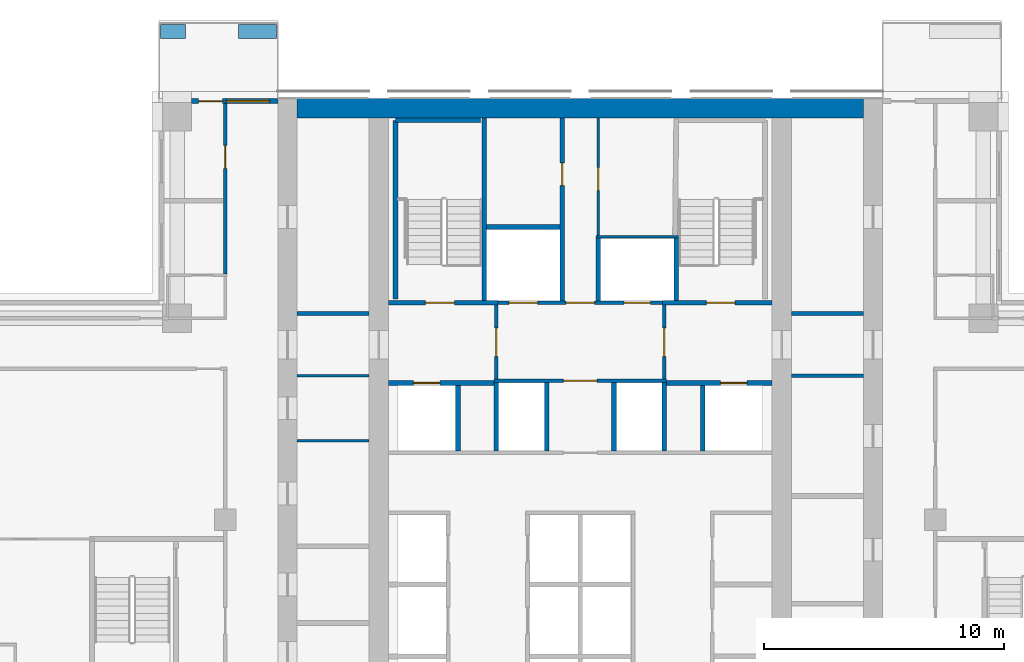
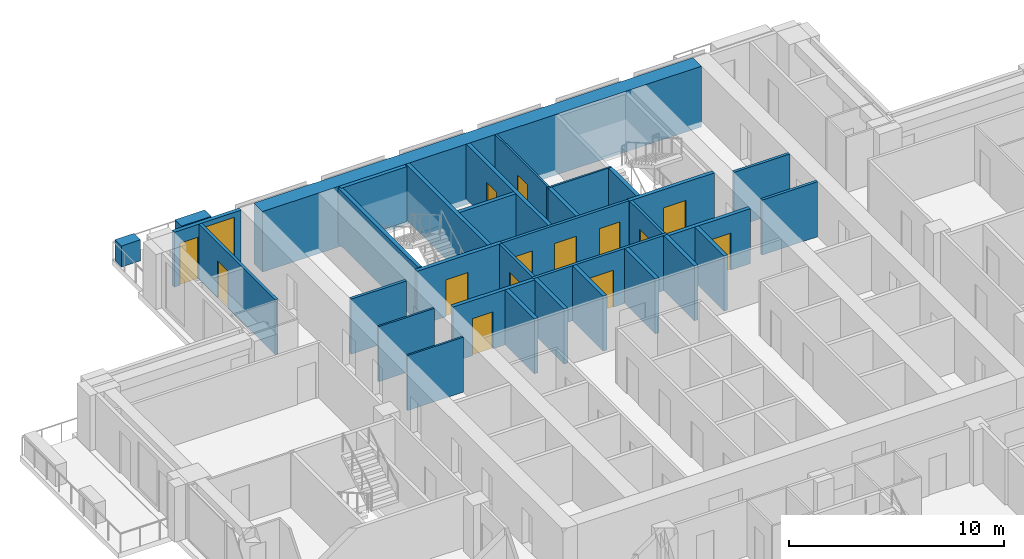
# One storey, part 11 of 17: 33 walls, 14 doors, 1 window, 15 openings.
"""IFC4 building model written with IfcOpenShell, lengths in metres."""

from ifc_helpers import new_model, si_unit, direction, frame, frame_2d, origin, place, context, subcontext, project, spatial, rectangle, extrude, material, layer, layer_set, type_object, element, fill, save


model = new_model("IFC4")

# Units and contexts
model_context = context("Model", 3, precision=1e-05, world=origin(), true_north=direction((0.0, 1.0)))
body_context = subcontext(model_context, "Body", "Model", "MODEL_VIEW")
ifc_project = project(units=[si_unit("LENGTHUNIT", "METRE"), si_unit("AREAUNIT", "SQUARE_METRE"), si_unit("VOLUMEUNIT", "CUBIC_METRE"), si_unit("PLANEANGLEUNIT", "RADIAN"), si_unit("MASSUNIT", "GRAM", prefix="KILO")], contexts=[model_context])

# Site, building, storey
site_placement = place(None, origin())
site = spatial("IfcSite", under=ifc_project, at=site_placement, CompositionType="ELEMENT")
building_placement = place(site_placement, origin())
building = spatial("IfcBuilding", under=site, at=building_placement, Name="Vermilion Ogive Tower", CompositionType="ELEMENT")
storey_placement = place(building_placement, frame((0.0, 0.0, 83.85009765625)))
storey = spatial("IfcBuildingStorey", under=building, at=storey_placement, Name="L20", CompositionType="ELEMENT", Elevation=83.85009765625)

# Walls
ifc_material_1 = material(Name="Concrete B80", Category="concrete")
ifc_layer_1 = layer(ifc_material_1, 0.800048828125)
ifc_layer_set_1 = layer_set([ifc_layer_1], Name="Core wall 800 B80")
wall_type_1 = type_object("IfcWallType", Name="Core wall 800 B80", PredefinedType="SHEAR", material=ifc_layer_set_1)
wall_1_placement = place(storey_placement, frame((-11.800048828125, 21.35009765625, -0.320068359375), z_axis=(0.0, 0.0, 1.0), x_axis=(1.0, 0.0, 0.0)))
element("IfcWall", 1, at=wall_1_placement, inside=storey, type_object=wall_type_1, Name="L20-CORE-N", PredefinedType="SHEAR", context=body_context, shape_type="SweptSolid", body=[
    extrude(rectangle(XDim=23.60009765625, YDim=0.800048828125, at=frame_2d((11.800048828125, 0.0))), origin(), (0.0, 0.0, 1.0), 3.449951171875),
])
ifc_material_2 = material(Name="Gypsum board partition on steel studs", Category="steel")
ifc_layer_2 = layer(ifc_material_2, 0.10009765625)
ifc_layer_set_2 = layer_set([ifc_layer_2], Name="Partition 100 bath")
wall_type_2 = type_object("IfcWallType", Name="Partition 100 bath", PredefinedType="PARTITIONING", material=ifc_layer_set_2)
wall_2_placement = place(storey_placement, frame((0.64990234375, 16.0, 0.0), z_axis=(0.0, 0.0, 1.0), x_axis=(1.0, 0.0, 0.0)))
element("IfcWall", 2, at=wall_2_placement, inside=storey, type_object=wall_type_2, Name="L20-CK-W-W020", PredefinedType="PARTITIONING", context=body_context, shape_type="SweptSolid", body=[
    extrude(rectangle(XDim=3.4501953125, YDim=0.10009765625, at=frame_2d((1.72509765625, 0.0))), origin(), (0.0, 0.0, 1.0), 3.1298828125),
])

# Wall, opening, door
wall_3_placement = place(storey_placement, frame((0.75, 16.050048828125, 0.0), z_axis=(0.0, 0.0, 1.0), x_axis=(0.0, 1.0, 0.0)))
wall_3 = element("IfcWall", 3, at=wall_3_placement, inside=storey, type_object=wall_type_2, Name="L20-CK-W-W032", PredefinedType="PARTITIONING", context=body_context, shape_type="SweptSolid", body=[
    extrude(rectangle(XDim=4.89892578125, YDim=0.10009765625, at=frame_2d((2.449462890625, 0.0))), origin(), (0.0, 0.0, 1.0), 3.1298828125),
])
opening_1_placement = place(wall_3_placement, frame((1.875, 0.0, 0.0)))
opening_1 = element("IfcOpeningElement", 4, at=opening_1_placement, cuts=wall_3, Name="Opening DAA146", PredefinedType="OPENING", context=body_context, shape_type="SweptSolid", body=[
    extrude(rectangle(XDim=0.949951171875, YDim=2.10009765625, at=frame_2d((0.47509765625, 1.050048828125))), frame((0.0, 0.06005859375, 0.0), z_axis=(0.0, -1.0, 0.0), x_axis=(1.0, 0.0, 0.0)), (0.0, 0.0, 1.0), 0.1201171875),
])
ifc_material_3 = material(Name="Timber door leaf", Category="wood")
door_type_1 = type_object("IfcDoorType", Name="Service door 950 x 2100 FD60", OperationType="SINGLE_SWING_LEFT", PredefinedType="DOOR", material=ifc_material_3)
door_1_placement = place(opening_1_placement, origin())
door_1 = element("IfcDoor", 5, at=door_1_placement, inside=storey, type_object=door_type_1, Name="L20-CK-D-D021", OperationType="SINGLE_SWING_LEFT", OverallHeight=2.10009765625, OverallWidth=0.949951171875, PredefinedType="DOOR", context=body_context, shape_type="SweptSolid", body=[
    extrude(rectangle(XDim=0.949951171875, YDim=2.10009765625, at=frame_2d((0.47509765625, 1.050048828125))), frame((0.0, 0.02490234375, 0.0), z_axis=(0.0, -1.0, 0.0), x_axis=(1.0, 0.0, 0.0)), (0.0, 0.0, 1.0), 0.050048828125),
])
fill(opening_1, door_1)

# Walls
for number, where, z_axis, x_axis, name in (
    (6, (-11.799072265625, 7.5, 0.0), (0.0, 0.0, 1.0), (1.0, 0.0, 0.0), "L20-CKW-W-W004"),
    (7, (-11.799072265625, 10.199951171875, 0.0), (0.0, 0.0, 1.0), (1.0, 0.0, 0.0), "L20-CKW-W-W005"),
):
    element("IfcWall", number, at=place(storey_placement, frame(where, z_axis=z_axis, x_axis=x_axis)), inside=storey, type_object=wall_type_2, Name=name, PredefinedType="PARTITIONING", context=body_context, shape_type="SweptSolid", body=[
        extrude(rectangle(XDim=2.998046875, YDim=0.10009765625, at=frame_2d((1.4990234375, 0.0))), origin(), (0.0, 0.0, 1.0), 3.1298828125),
    ])

# Wall, opening, door
ifc_material_4 = material(Name="Gypsum board partition on steel studs", Category="steel")
ifc_layer_3 = layer(ifc_material_4, 0.14990234375)
ifc_layer_set_3 = layer_set([ifc_layer_3], Name="Partition 150 corridor")
wall_type_3 = type_object("IfcWallType", Name="Partition 150 corridor", PredefinedType="PARTITIONING", material=ifc_layer_set_3)
wall_4_placement = place(storey_placement, frame((-14.800048828125, 14.449951171875, 0.0), z_axis=(0.0, 0.0, 1.0), x_axis=(0.0, 1.0, 0.0)))
wall_4 = element("IfcWall", 8, at=wall_4_placement, inside=storey, type_object=wall_type_3, Name="L20-W-W047", PredefinedType="PARTITIONING", context=body_context, shape_type="SweptSolid", body=[
    extrude(rectangle(XDim=7.10009765625, YDim=0.14990234375, at=frame_2d((3.550048828125, 0.0))), origin(), (0.0, 0.0, 1.0), 3.1298828125),
])
opening_2_placement = place(wall_4_placement, frame((4.400146484375, 0.0, 0.0)))
opening_2 = element("IfcOpeningElement", 9, at=opening_2_placement, cuts=wall_4, Name="Opening D2G1008", PredefinedType="OPENING", context=body_context, shape_type="SweptSolid", body=[
    extrude(rectangle(XDim=0.949951171875, YDim=2.10009765625, at=frame_2d((0.47509765625, 1.050048828125))), frame((0.0, 0.0849609375, 0.0), z_axis=(0.0, -1.0, 0.0), x_axis=(1.0, 0.0, 0.0)), (0.0, 0.0, 1.0), 0.169921875),
])
ifc_material_5 = material(Name="Timber door leaf", Category="wood")
door_type_2 = type_object("IfcDoorType", Name="Unit door 950 x 2100 FD30S", OperationType="SINGLE_SWING_LEFT", PredefinedType="DOOR", material=ifc_material_5)
door_2_placement = place(opening_2_placement, origin())
door_2 = element("IfcDoor", 10, at=door_2_placement, inside=storey, type_object=door_type_2, Name="L20-D-D008", OperationType="SINGLE_SWING_LEFT", OverallHeight=2.10009765625, OverallWidth=0.949951171875, PredefinedType="DOOR", context=body_context, shape_type="SweptSolid", body=[
    extrude(rectangle(XDim=0.949951171875, YDim=2.10009765625, at=frame_2d((0.47509765625, 1.050048828125))), frame((0.0, 0.02490234375, 0.0), z_axis=(0.0, -1.0, 0.0), x_axis=(1.0, 0.0, 0.0)), (0.0, 0.0, 1.0), 0.050048828125),
])
fill(opening_2, door_2)

wall_5_placement = place(storey_placement, frame((-3.60009765625, 10.0, 0.0), z_axis=(0.0, 0.0, 1.0), x_axis=(1.0, 0.0, 0.0)))
wall_5 = element("IfcWall", 11, at=wall_5_placement, inside=storey, type_object=wall_type_3, Name="L20-CK-W-W016", PredefinedType="PARTITIONING", context=body_context, shape_type="SweptSolid", body=[
    extrude(rectangle(XDim=7.2001953125, YDim=0.14990234375, at=frame_2d((3.60009765625, 0.0))), origin(), (0.0, 0.0, 1.0), 3.1298828125),
])
opening_3_placement = place(wall_5_placement, frame((2.900146484375, 0.0, 0.0)))
opening_3 = element("IfcOpeningElement", 12, at=opening_3_placement, cuts=wall_5, Name="Opening DAA141", PredefinedType="OPENING", context=body_context, shape_type="SweptSolid", body=[
    extrude(rectangle(XDim=1.39990234375, YDim=2.10009765625, at=frame_2d((0.699951171875, 1.050048828125))), frame((0.0, 0.0849609375, 0.0), z_axis=(0.0, -1.0, 0.0), x_axis=(1.0, 0.0, 0.0)), (0.0, 0.0, 1.0), 0.169921875),
])
ifc_material_6 = material(Name="Timber door leaf", Category="wood")
door_type_3 = type_object("IfcDoorType", Name="Lobby door 1400 x 2100 FD60S", OperationType="SINGLE_SWING_LEFT", PredefinedType="DOOR", material=ifc_material_6)
door_3_placement = place(opening_3_placement, origin())
door_3 = element("IfcDoor", 13, at=door_3_placement, inside=storey, type_object=door_type_3, Name="L20-CK-D-D016", OperationType="SINGLE_SWING_RIGHT", OverallHeight=2.10009765625, OverallWidth=1.39990234375, PredefinedType="DOOR", context=body_context, shape_type="SweptSolid", body=[
    extrude(rectangle(XDim=1.39990234375, YDim=2.10009765625, at=frame_2d((0.699951171875, 1.050048828125))), frame((0.0, 0.02490234375, 0.0), z_axis=(0.0, -1.0, 0.0), x_axis=(1.0, 0.0, 0.0)), (0.0, 0.0, 1.0), 0.050048828125),
])
fill(opening_3, door_3)

# Wall, openings, doors
wall_6_placement = place(storey_placement, frame((-3.574951171875, 13.25, 0.0), z_axis=(0.0, 0.0, 1.0), x_axis=(1.0, 0.0, 0.0)))
wall_6 = element("IfcWall", 14, at=wall_6_placement, inside=storey, type_object=wall_type_3, Name="L20-CK-W-W018", PredefinedType="PARTITIONING", context=body_context, shape_type="SweptSolid", body=[
    extrude(rectangle(XDim=7.14990234375, YDim=0.14990234375, at=frame_2d((3.574951171875, 0.0))), origin(), (0.0, 0.0, 1.0), 3.1298828125),
])
opening_4_placement = place(wall_6_placement, frame((0.599853515625, 0.0, 0.0)))
opening_4 = element("IfcOpeningElement", 15, at=opening_4_placement, cuts=wall_6, Name="Opening DAA160", PredefinedType="OPENING", context=body_context, shape_type="SweptSolid", body=[
    extrude(rectangle(XDim=1.199951171875, YDim=2.10009765625, at=frame_2d((0.60009765625, 1.050048828125))), frame((0.0, 0.0849609375, 0.0), z_axis=(0.0, -1.0, 0.0), x_axis=(1.0, 0.0, 0.0)), (0.0, 0.0, 1.0), 0.169921875),
])
opening_5_placement = place(wall_6_placement, frame((5.39990234375, 0.0, 0.0)))
opening_5 = element("IfcOpeningElement", 16, at=opening_5_placement, cuts=wall_6, Name="Opening DAA151", PredefinedType="OPENING", context=body_context, shape_type="SweptSolid", body=[
    extrude(rectangle(XDim=1.10009765625, YDim=2.10009765625, at=frame_2d((0.550048828125, 1.050048828125))), frame((0.0, 0.0849609375, 0.0), z_axis=(0.0, -1.0, 0.0), x_axis=(1.0, 0.0, 0.0)), (0.0, 0.0, 1.0), 0.169921875),
])
opening_6_placement = place(wall_6_placement, frame((2.974853515625, 0.0, 0.0)))
opening_6 = element("IfcOpeningElement", 17, at=opening_6_placement, cuts=wall_6, Name="Opening DAA142", PredefinedType="OPENING", context=body_context, shape_type="SweptSolid", body=[
    extrude(rectangle(XDim=1.199951171875, YDim=2.10009765625, at=frame_2d((0.60009765625, 1.050048828125))), frame((0.0, 0.0849609375, 0.0), z_axis=(0.0, -1.0, 0.0), x_axis=(1.0, 0.0, 0.0)), (0.0, 0.0, 1.0), 0.169921875),
])
ifc_material_7 = material(Name="Stainless steel", Category="steel")
door_type_4 = type_object("IfcDoorType", Name="Lift landing door 1100 x 2100", OperationType="SLIDING_TO_LEFT", PredefinedType="DOOR", material=ifc_material_7)
door_4_placement = place(opening_5_placement, origin())
door_4 = element("IfcDoor", 18, at=door_4_placement, inside=storey, type_object=door_type_4, Name="L20-CK-D-D018", OperationType="SLIDING_TO_LEFT", OverallHeight=2.10009765625, OverallWidth=1.10009765625, PredefinedType="DOOR", context=body_context, shape_type="SweptSolid", body=[
    extrude(rectangle(XDim=1.10009765625, YDim=2.10009765625, at=frame_2d((0.550048828125, 1.050048828125))), frame((0.0, 0.02490234375, 0.0), z_axis=(0.0, -1.0, 0.0), x_axis=(1.0, 0.0, 0.0)), (0.0, 0.0, 1.0), 0.050048828125),
])
fill(opening_5, door_4)
ifc_material_8 = material(Name="Stainless steel", Category="steel")
door_type_5 = type_object("IfcDoorType", Name="Lift landing door 1200 x 2100", OperationType="SLIDING_TO_LEFT", PredefinedType="DOOR", material=ifc_material_8)
door_5_placement = place(opening_4_placement, origin())
door_5 = element("IfcDoor", 19, at=door_5_placement, inside=storey, type_object=door_type_5, Name="L20-CK-D-D017", OperationType="SLIDING_TO_RIGHT", OverallHeight=2.10009765625, OverallWidth=1.199951171875, PredefinedType="DOOR", context=body_context, shape_type="SweptSolid", body=[
    extrude(rectangle(XDim=1.199951171875, YDim=2.10009765625, at=frame_2d((0.60009765625, 1.050048828125))), frame((0.0, 0.02490234375, 0.0), z_axis=(0.0, -1.0, 0.0), x_axis=(1.0, 0.0, 0.0)), (0.0, 0.0, 1.0), 0.050048828125),
])
fill(opening_4, door_5)
ifc_material_9 = material(Name="Timber door leaf", Category="wood")
door_type_6 = type_object("IfcDoorType", Name="Service door 1200 x 2100 FD60", OperationType="SINGLE_SWING_LEFT", PredefinedType="DOOR", material=ifc_material_9)
door_6_placement = place(opening_6_placement, origin())
door_6 = element("IfcDoor", 20, at=door_6_placement, inside=storey, type_object=door_type_6, Name="L20-CK-D-D019", OperationType="SINGLE_SWING_RIGHT", OverallHeight=2.10009765625, OverallWidth=1.199951171875, PredefinedType="DOOR", context=body_context, shape_type="SweptSolid", body=[
    extrude(rectangle(XDim=1.199951171875, YDim=2.10009765625, at=frame_2d((0.60009765625, 1.050048828125))), frame((0.0, 0.02490234375, 0.0), z_axis=(0.0, -1.0, 0.0), x_axis=(1.0, 0.0, 0.0)), (0.0, 0.0, 1.0), 0.050048828125),
])
fill(opening_6, door_6)

# Wall, opening, door
wall_7_placement = place(storey_placement, frame((-3.5, 10.074951171875, 0.0), z_axis=(0.0, 0.0, 1.0), x_axis=(0.0, 1.0, 0.0)))
wall_7 = element("IfcWall", 21, at=wall_7_placement, inside=storey, type_object=wall_type_3, Name="L20-CK-W-W026", PredefinedType="PARTITIONING", context=body_context, shape_type="SweptSolid", body=[
    extrude(rectangle(XDim=3.074951171875, YDim=0.14990234375, at=frame_2d((1.53759765625, 0.0))), origin(), (0.0, 0.0, 1.0), 3.1298828125),
])
opening_7_placement = place(wall_7_placement, frame((0.925048828125, 0.0, 0.0)))
opening_7 = element("IfcOpeningElement", 22, at=opening_7_placement, cuts=wall_7, Name="Opening DAA138", PredefinedType="OPENING", context=body_context, shape_type="SweptSolid", body=[
    extrude(rectangle(XDim=1.199951171875, YDim=2.10009765625, at=frame_2d((0.60009765625, 1.050048828125))), frame((0.0, 0.0849609375, 0.0), z_axis=(0.0, -1.0, 0.0), x_axis=(1.0, 0.0, 0.0)), (0.0, 0.0, 1.0), 0.169921875),
])
ifc_material_10 = material(Name="Timber door leaf", Category="wood")
door_type_7 = type_object("IfcDoorType", Name="Lobby door 1200 x 2100 FD60S", OperationType="SINGLE_SWING_LEFT", PredefinedType="DOOR", material=ifc_material_10)
door_7_placement = place(opening_7_placement, origin())
door_7 = element("IfcDoor", 23, at=door_7_placement, inside=storey, type_object=door_type_7, Name="L20-CK-D-D022", OperationType="SINGLE_SWING_RIGHT", OverallHeight=2.10009765625, OverallWidth=1.199951171875, PredefinedType="DOOR", context=body_context, shape_type="SweptSolid", body=[
    extrude(rectangle(XDim=1.199951171875, YDim=2.10009765625, at=frame_2d((0.60009765625, 1.050048828125))), frame((0.0, 0.02490234375, 0.0), z_axis=(0.0, -1.0, 0.0), x_axis=(1.0, 0.0, 0.0)), (0.0, 0.0, 1.0), 0.050048828125),
])
fill(opening_7, door_7)

wall_8_placement = place(storey_placement, frame((3.5, 10.074951171875, 0.0), z_axis=(0.0, 0.0, 1.0), x_axis=(0.0, 1.0, 0.0)))
wall_8 = element("IfcWall", 24, at=wall_8_placement, inside=storey, type_object=wall_type_3, Name="L20-CK-W-W036", PredefinedType="PARTITIONING", context=body_context, shape_type="SweptSolid", body=[
    extrude(rectangle(XDim=3.074951171875, YDim=0.14990234375, at=frame_2d((1.53759765625, 0.0))), origin(), (0.0, 0.0, 1.0), 3.1298828125),
])
opening_8_placement = place(wall_8_placement, frame((0.925048828125, 0.0, 0.0)))
opening_8 = element("IfcOpeningElement", 25, at=opening_8_placement, cuts=wall_8, Name="Opening DAA139", PredefinedType="OPENING", context=body_context, shape_type="SweptSolid", body=[
    extrude(rectangle(XDim=1.199951171875, YDim=2.10009765625, at=frame_2d((0.60009765625, 1.050048828125))), frame((0.0, 0.0849609375, 0.0), z_axis=(0.0, -1.0, 0.0), x_axis=(1.0, 0.0, 0.0)), (0.0, 0.0, 1.0), 0.169921875),
])
door_8_placement = place(opening_8_placement, origin())
door_8 = element("IfcDoor", 26, at=door_8_placement, inside=storey, type_object=door_type_7, Name="L20-CK-D-D023", OperationType="SINGLE_SWING_LEFT", OverallHeight=2.10009765625, OverallWidth=1.199951171875, PredefinedType="DOOR", context=body_context, shape_type="SweptSolid", body=[
    extrude(rectangle(XDim=1.199951171875, YDim=2.10009765625, at=frame_2d((0.60009765625, 1.050048828125))), frame((0.0, 0.02490234375, 0.0), z_axis=(0.0, -1.0, 0.0), x_axis=(1.0, 0.0, 0.0)), (0.0, 0.0, 1.0), 0.050048828125),
])
fill(opening_8, door_8)

# Walls
for number, where, z_axis, x_axis, name in (
    (27, (-11.799072265625, 12.800048828125, 0.0), (0.0, 0.0, 1.0), (1.0, 0.0, 0.0), "L20-CKW-W-W006"),
    (28, (8.801025390625, 10.199951171875, 0.0), (0.0, 0.0, 1.0), (1.0, 0.0, 0.0), "L20-CKE-W-W004"),
    (29, (8.801025390625, 12.800048828125, 0.0), (0.0, 0.0, 1.0), (1.0, 0.0, 0.0), "L20-CKE-W-W005"),
):
    element("IfcWall", number, at=place(storey_placement, frame(where, z_axis=z_axis, x_axis=x_axis)), inside=storey, type_object=wall_type_3, Name=name, PredefinedType="PARTITIONING", context=body_context, shape_type="SweptSolid", body=[
        extrude(rectangle(XDim=2.998046875, YDim=0.14990234375, at=frame_2d((1.4990234375, 0.0))), origin(), (0.0, 0.0, 1.0), 3.1298828125),
    ])

# Wall, opening, door
ifc_material_11 = material(Name="Gypsum board partition on steel studs", Category="steel")
ifc_layer_4 = layer(ifc_material_11, 0.199951171875)
ifc_layer_set_4 = layer_set([ifc_layer_4], Name="Partition 200 party")
wall_type_4 = type_object("IfcWallType", Name="Partition 200 party", PredefinedType="PARTITIONING", material=ifc_layer_set_4)
wall_9_placement = place(storey_placement, frame((-7.9990234375, 9.89990234375, 0.0), z_axis=(0.0, 0.0, 1.0), x_axis=(1.0, 0.0, 0.0)))
wall_9 = element("IfcWall", 30, at=wall_9_placement, inside=storey, type_object=wall_type_4, Name="L20-CK-W-W014", PredefinedType="PARTITIONING", context=body_context, shape_type="SweptSolid", body=[
    extrude(rectangle(XDim=4.39892578125, YDim=0.199951171875, at=frame_2d((2.199462890625, 0.0))), origin(), (0.0, 0.0, 1.0), 3.1298828125),
])
opening_9_placement = place(wall_9_placement, frame((1.049072265625, 0.0, 0.0)))
opening_9 = element("IfcOpeningElement", 31, at=opening_9_placement, cuts=wall_9, Name="Opening DAA159", PredefinedType="OPENING", context=body_context, shape_type="SweptSolid", body=[
    extrude(rectangle(XDim=1.10009765625, YDim=2.10009765625, at=frame_2d((0.550048828125, 1.050048828125))), frame((0.0, 0.10986328125, 0.0), z_axis=(0.0, -1.0, 0.0), x_axis=(1.0, 0.0, 0.0)), (0.0, 0.0, 1.0), 0.219970703125),
])
door_9_placement = place(opening_9_placement, origin())
door_9 = element("IfcDoor", 32, at=door_9_placement, inside=storey, type_object=door_type_4, Name="L20-CK-D-D012", OperationType="SLIDING_TO_LEFT", OverallHeight=2.10009765625, OverallWidth=1.10009765625, PredefinedType="DOOR", context=body_context, shape_type="SweptSolid", body=[
    extrude(rectangle(XDim=1.10009765625, YDim=2.10009765625, at=frame_2d((0.550048828125, 1.050048828125))), frame((0.0, 0.02490234375, 0.0), z_axis=(0.0, -1.0, 0.0), x_axis=(1.0, 0.0, 0.0)), (0.0, 0.0, 1.0), 0.050048828125),
])
fill(opening_9, door_9)

wall_10_placement = place(storey_placement, frame((3.60009765625, 9.89990234375, 0.0), z_axis=(0.0, 0.0, 1.0), x_axis=(1.0, 0.0, 0.0)))
wall_10 = element("IfcWall", 33, at=wall_10_placement, inside=storey, type_object=wall_type_4, Name="L20-CK-W-W015", PredefinedType="PARTITIONING", context=body_context, shape_type="SweptSolid", body=[
    extrude(rectangle(XDim=4.39892578125, YDim=0.199951171875, at=frame_2d((2.199462890625, 0.0))), origin(), (0.0, 0.0, 1.0), 3.1298828125),
])
opening_10_placement = place(wall_10_placement, frame((2.25, 0.0, 0.0)))
opening_10 = element("IfcOpeningElement", 34, at=opening_10_placement, cuts=wall_10, Name="Opening DAA150", PredefinedType="OPENING", context=body_context, shape_type="SweptSolid", body=[
    extrude(rectangle(XDim=1.10009765625, YDim=2.10009765625, at=frame_2d((0.550048828125, 1.050048828125))), frame((0.0, 0.10986328125, 0.0), z_axis=(0.0, -1.0, 0.0), x_axis=(1.0, 0.0, 0.0)), (0.0, 0.0, 1.0), 0.219970703125),
])
door_10_placement = place(opening_10_placement, origin())
door_10 = element("IfcDoor", 35, at=door_10_placement, inside=storey, type_object=door_type_4, Name="L20-CK-D-D014", OperationType="SLIDING_TO_LEFT", OverallHeight=2.10009765625, OverallWidth=1.10009765625, PredefinedType="DOOR", context=body_context, shape_type="SweptSolid", body=[
    extrude(rectangle(XDim=1.10009765625, YDim=2.10009765625, at=frame_2d((0.550048828125, 1.050048828125))), frame((0.0, 0.02490234375, 0.0), z_axis=(0.0, -1.0, 0.0), x_axis=(1.0, 0.0, 0.0)), (0.0, 0.0, 1.0), 0.050048828125),
])
fill(opening_10, door_10)

# Walls
wall_11_placement = place(storey_placement, frame((-3.89990234375, 16.39990234375, 0.0), z_axis=(0.0, 0.0, 1.0), x_axis=(1.0, 0.0, 0.0)))
element("IfcWall", 36, at=wall_11_placement, inside=storey, type_object=wall_type_4, Name="L20-CK-W-W021", PredefinedType="PARTITIONING", context=body_context, shape_type="SweptSolid", body=[
    extrude(rectangle(XDim=3.0498046875, YDim=0.199951171875, at=frame_2d((1.52490234375, 0.0))), origin(), (0.0, 0.0, 1.0), 3.1298828125),
])
wall_12_placement = place(storey_placement, frame((-5.10009765625, 7.074951171875, 0.0), z_axis=(0.0, 0.0, 1.0), x_axis=(0.0, 1.0, 0.0)))
element("IfcWall", 37, at=wall_12_placement, inside=storey, type_object=wall_type_4, Name="L20-CK-W-W023", PredefinedType="PARTITIONING", context=body_context, shape_type="SweptSolid", body=[
    extrude(rectangle(XDim=2.72509765625, YDim=0.199951171875, at=frame_2d((1.362548828125, 0.0))), origin(), (0.0, 0.0, 1.0), 3.1298828125),
])
for number, where, z_axis, x_axis, name in (
    (38, (-3.5, 7.074951171875, 0.0), (0.0, 0.0, 1.0), (0.0, 1.0, 0.0), "L20-CK-W-W025"),
    (39, (-1.39990234375, 7.074951171875, 0.0), (0.0, 0.0, 1.0), (0.0, 1.0, 0.0), "L20-CK-W-W028"),
):
    element("IfcWall", number, at=place(storey_placement, frame(where, z_axis=z_axis, x_axis=x_axis)), inside=storey, type_object=wall_type_4, Name=name, PredefinedType="PARTITIONING", context=body_context, shape_type="SweptSolid", body=[
        extrude(rectangle(XDim=2.85009765625, YDim=0.199951171875, at=frame_2d((1.425048828125, 0.0))), origin(), (0.0, 0.0, 1.0), 3.1298828125),
    ])

# Wall, opening, door
wall_13_placement = place(storey_placement, frame((-0.75, 13.324951171875, 0.0), z_axis=(0.0, 0.0, 1.0), x_axis=(0.0, 1.0, 0.0)))
wall_13 = element("IfcWall", 40, at=wall_13_placement, inside=storey, type_object=wall_type_4, Name="L20-CK-W-W029", PredefinedType="PARTITIONING", context=body_context, shape_type="SweptSolid", body=[
    extrude(rectangle(XDim=7.6240234375, YDim=0.199951171875, at=frame_2d((3.81201171875, 0.0))), origin(), (0.0, 0.0, 1.0), 3.1298828125),
])
opening_11_placement = place(wall_13_placement, frame((4.800048828125, 0.0, 0.0)))
opening_11 = element("IfcOpeningElement", 41, at=opening_11_placement, cuts=wall_13, Name="Opening DAA145", PredefinedType="OPENING", context=body_context, shape_type="SweptSolid", body=[
    extrude(rectangle(XDim=0.949951171875, YDim=2.10009765625, at=frame_2d((0.47509765625, 1.050048828125))), frame((0.0, 0.10986328125, 0.0), z_axis=(0.0, -1.0, 0.0), x_axis=(1.0, 0.0, 0.0)), (0.0, 0.0, 1.0), 0.219970703125),
])
door_11_placement = place(opening_11_placement, origin())
door_11 = element("IfcDoor", 42, at=door_11_placement, inside=storey, type_object=door_type_1, Name="L20-CK-D-D020", OperationType="SINGLE_SWING_RIGHT", OverallHeight=2.10009765625, OverallWidth=0.949951171875, PredefinedType="DOOR", context=body_context, shape_type="SweptSolid", body=[
    extrude(rectangle(XDim=0.949951171875, YDim=2.10009765625, at=frame_2d((0.47509765625, 1.050048828125))), frame((0.0, 0.02490234375, 0.0), z_axis=(0.0, -1.0, 0.0), x_axis=(1.0, 0.0, 0.0)), (0.0, 0.0, 1.0), 0.050048828125),
])
fill(opening_11, door_11)

# Walls
wall_14_placement = place(storey_placement, frame((0.75, 13.324951171875, 0.0), z_axis=(0.0, 0.0, 1.0), x_axis=(0.0, 1.0, 0.0)))
element("IfcWall", 43, at=wall_14_placement, inside=storey, type_object=wall_type_4, Name="L20-CK-W-W031", PredefinedType="PARTITIONING", context=body_context, shape_type="SweptSolid", body=[
    extrude(rectangle(XDim=2.625, YDim=0.199951171875, at=frame_2d((1.3125, 0.0))), origin(), (0.0, 0.0, 1.0), 3.1298828125),
])
for number, where, z_axis, x_axis, name in (
    (44, (1.39990234375, 7.074951171875, 0.0), (0.0, 0.0, 1.0), (0.0, 1.0, 0.0), "L20-CK-W-W033"),
    (45, (3.5, 7.074951171875, 0.0), (0.0, 0.0, 1.0), (0.0, 1.0, 0.0), "L20-CK-W-W035"),
):
    element("IfcWall", number, at=place(storey_placement, frame(where, z_axis=z_axis, x_axis=x_axis)), inside=storey, type_object=wall_type_4, Name=name, PredefinedType="PARTITIONING", context=body_context, shape_type="SweptSolid", body=[
        extrude(rectangle(XDim=2.85009765625, YDim=0.199951171875, at=frame_2d((1.425048828125, 0.0))), origin(), (0.0, 0.0, 1.0), 3.1298828125),
    ])
wall_15_placement = place(storey_placement, frame((5.10009765625, 7.074951171875, 0.0), z_axis=(0.0, 0.0, 1.0), x_axis=(0.0, 1.0, 0.0)))
element("IfcWall", 46, at=wall_15_placement, inside=storey, type_object=wall_type_4, Name="L20-CK-W-W039", PredefinedType="PARTITIONING", context=body_context, shape_type="SweptSolid", body=[
    extrude(rectangle(XDim=2.72509765625, YDim=0.199951171875, at=frame_2d((1.362548828125, 0.0))), origin(), (0.0, 0.0, 1.0), 3.1298828125),
])

# Wall, opening, door
ifc_material_12 = material(Name="Concrete B60", Category="concrete")
ifc_layer_5 = layer(ifc_material_12, 0.199951171875)
ifc_layer_set_5 = layer_set([ifc_layer_5], Name="Stair shaft wall 200 Concrete B60")
wall_type_5 = type_object("IfcWallType", Name="Stair shaft wall 200 Concrete B60", PredefinedType="SOLIDWALL", material=ifc_layer_set_5)
wall_16_placement = place(storey_placement, frame((-7.9990234375, 13.25, 0.0), z_axis=(0.0, 0.0, 1.0), x_axis=(1.0, 0.0, 0.0)))
wall_16 = element("IfcWall", 47, at=wall_16_placement, inside=storey, type_object=wall_type_5, Name="L20-CK-W-W017", PredefinedType="SOLIDWALL", context=body_context, shape_type="SweptSolid", body=[
    extrude(rectangle(XDim=4.573974609375, YDim=0.199951171875, at=frame_2d((2.287109375, 0.0))), origin(), (0.0, 0.0, 1.0), 3.1298828125),
])
opening_12_placement = place(wall_16_placement, frame((1.549072265625, 0.0, 0.0)))
opening_12 = element("IfcOpeningElement", 48, at=opening_12_placement, cuts=wall_16, Name="Opening DAA147", PredefinedType="OPENING", context=body_context, shape_type="SweptSolid", body=[
    extrude(rectangle(XDim=1.199951171875, YDim=2.10009765625, at=frame_2d((0.60009765625, 1.050048828125))), frame((0.0, 0.10986328125, 0.0), z_axis=(0.0, -1.0, 0.0), x_axis=(1.0, 0.0, 0.0)), (0.0, 0.0, 1.0), 0.219970703125),
])
ifc_material_13 = material(Name="Timber door leaf", Category="wood")
door_type_8 = type_object("IfcDoorType", Name="Stair door 1200 x 2100 FD60S", OperationType="SINGLE_SWING_LEFT", PredefinedType="DOOR", material=ifc_material_13)
door_12_placement = place(opening_12_placement, origin())
door_12 = element("IfcDoor", 49, at=door_12_placement, inside=storey, type_object=door_type_8, Name="L20-CK-D-D011", OperationType="SINGLE_SWING_LEFT", OverallHeight=2.10009765625, OverallWidth=1.199951171875, PredefinedType="DOOR", context=body_context, shape_type="SweptSolid", body=[
    extrude(rectangle(XDim=1.199951171875, YDim=2.10009765625, at=frame_2d((0.60009765625, 1.050048828125))), frame((0.0, 0.02490234375, 0.0), z_axis=(0.0, -1.0, 0.0), x_axis=(1.0, 0.0, 0.0)), (0.0, 0.0, 1.0), 0.050048828125),
])
fill(opening_12, door_12)

wall_17_placement = place(storey_placement, frame((3.425048828125, 13.25, 0.0), z_axis=(0.0, 0.0, 1.0), x_axis=(1.0, 0.0, 0.0)))
wall_17 = element("IfcWall", 50, at=wall_17_placement, inside=storey, type_object=wall_type_5, Name="L20-CK-W-W019", PredefinedType="SOLIDWALL", context=body_context, shape_type="SweptSolid", body=[
    extrude(rectangle(XDim=4.573974609375, YDim=0.199951171875, at=frame_2d((2.287109375, 0.0))), origin(), (0.0, 0.0, 1.0), 3.1298828125),
])
opening_13_placement = place(wall_17_placement, frame((1.824951171875, 0.0, 0.0)))
opening_13 = element("IfcOpeningElement", 51, at=opening_13_placement, cuts=wall_17, Name="Opening DAA148", PredefinedType="OPENING", context=body_context, shape_type="SweptSolid", body=[
    extrude(rectangle(XDim=1.199951171875, YDim=2.10009765625, at=frame_2d((0.60009765625, 1.050048828125))), frame((0.0, 0.10986328125, 0.0), z_axis=(0.0, -1.0, 0.0), x_axis=(1.0, 0.0, 0.0)), (0.0, 0.0, 1.0), 0.219970703125),
])
door_13_placement = place(opening_13_placement, origin())
door_13 = element("IfcDoor", 52, at=door_13_placement, inside=storey, type_object=door_type_8, Name="L20-CK-D-D013", OperationType="SINGLE_SWING_RIGHT", OverallHeight=2.10009765625, OverallWidth=1.199951171875, PredefinedType="DOOR", context=body_context, shape_type="SweptSolid", body=[
    extrude(rectangle(XDim=1.199951171875, YDim=2.10009765625, at=frame_2d((0.60009765625, 1.050048828125))), frame((0.0, 0.02490234375, 0.0), z_axis=(0.0, -1.0, 0.0), x_axis=(1.0, 0.0, 0.0)), (0.0, 0.0, 1.0), 0.050048828125),
])
fill(opening_13, door_13)

# Walls
wall_18_placement = place(storey_placement, frame((-4.0, 13.35009765625, 0.0), z_axis=(0.0, 0.0, 1.0), x_axis=(0.0, 1.0, 0.0)))
element("IfcWall", 53, at=wall_18_placement, inside=storey, type_object=wall_type_5, Name="L20-CK-W-W024", PredefinedType="SOLIDWALL", context=body_context, shape_type="SweptSolid", body=[
    extrude(rectangle(XDim=7.598876953125, YDim=0.199951171875, at=frame_2d((3.79931640625, 0.0))), origin(), (0.0, 0.0, 1.0), 3.1298828125),
])
wall_19_placement = place(storey_placement, frame((4.0, 13.35009765625, 0.0), z_axis=(0.0, 0.0, 1.0), x_axis=(0.0, 1.0, 0.0)))
element("IfcWall", 54, at=wall_19_placement, inside=storey, type_object=wall_type_5, Name="L20-CK-W-W037", PredefinedType="SOLIDWALL", context=body_context, shape_type="SweptSolid", body=[
    extrude(rectangle(XDim=2.599853515625, YDim=0.199951171875, at=frame_2d((1.2998046875, 0.0))), origin(), (0.0, 0.0, 1.0), 3.1298828125),
])
wall_20_placement = place(storey_placement, frame((-7.699951171875, 13.39990234375, 0.0), z_axis=(0.0, 0.0, 1.0), x_axis=(0.0, 1.0, 0.0)))
element("IfcWall", 55, at=wall_20_placement, inside=storey, type_object=wall_type_5, Name="L20-SW-R022-W1", PredefinedType="SOLIDWALL", context=body_context, shape_type="SweptSolid", body=[
    extrude(rectangle(XDim=7.4501953125, YDim=0.199951171875, at=frame_2d((3.72509765625, 0.0))), origin(), (0.0, 0.0, 1.0), 3.1298828125),
])
wall_21_placement = place(storey_placement, frame((-7.699951171875, 20.85009765625, 0.0), z_axis=(0.0, 0.0, 1.0), x_axis=(1.0, 0.0, 0.0)))
element("IfcWall", 56, at=wall_21_placement, inside=storey, type_object=wall_type_5, Name="L20-SW-R022-N1", PredefinedType="SOLIDWALL", context=body_context, shape_type="SweptSolid", body=[
    extrude(rectangle(XDim=3.550048828125, YDim=0.199951171875, at=frame_2d((1.77490234375, 0.0))), origin(), (0.0, 0.0, 1.0), 3.1298828125),
])
ifc_material_14 = material(Name="Concrete B40", Category="concrete")
ifc_layer_6 = layer(ifc_material_14, 0.60009765625)
ifc_layer_set_6 = layer_set([ifc_layer_6], Name="Structural planter")
wall_type_6 = type_object("IfcWallType", Name="Structural planter", PredefinedType="USERDEFINED", material=ifc_layer_set_6)
wall_22_placement = place(storey_placement, frame((-12.659912109375, 24.550048828125, -0.0400390625), z_axis=(0.0, 0.0, 1.0), x_axis=(-1.0, 0.0, 0.0)))
element("IfcWall", 57, at=wall_22_placement, inside=storey, type_object=wall_type_6, Name="Planter N201A1", ObjectType="PLANTER", PredefinedType="USERDEFINED", context=body_context, shape_type="SweptSolid", body=[
    extrude(rectangle(XDim=1.590087890625, YDim=0.60009765625, at=frame_2d((0.794921875, 0.0))), origin(), (0.0, 0.0, 1.0), 1.199951171875),
])
wall_23_placement = place(storey_placement, frame((-16.449951171875, 24.550048828125, -0.0400390625), z_axis=(0.0, 0.0, 1.0), x_axis=(-1.0, 0.0, 0.0)))
element("IfcWall", 58, at=wall_23_placement, inside=storey, type_object=wall_type_6, Name="Planter N201A2", ObjectType="PLANTER", PredefinedType="USERDEFINED", context=body_context, shape_type="SweptSolid", body=[
    extrude(rectangle(XDim=1.0400390625, YDim=0.60009765625, at=frame_2d((0.52001953125, 0.0))), origin(), (0.0, 0.0, 1.0), 1.199951171875),
])

# Wall, openings, door, window
ifc_material_15 = material(Name="Aluminium window wall framing", Category="aluminium")
ifc_layer_7 = layer(ifc_material_15, 0.199951171875)
ifc_layer_set_7 = layer_set([ifc_layer_7], Name="Window wall")
wall_type_7 = type_object("IfcWallType", Name="Window wall", PredefinedType="STANDARD", material=ifc_layer_set_7)
wall_24_placement = place(storey_placement, frame((-12.60009765625, 21.64990234375, 0.0), z_axis=(0.0, 0.0, 1.0), x_axis=(-1.0, 0.0, 0.0)))
wall_24 = element("IfcWall", 59, at=wall_24_placement, inside=storey, type_object=wall_type_7, Name="Window wall N21", PredefinedType="STANDARD", context=body_context, shape_type="SweptSolid", body=[
    extrude(rectangle(XDim=3.599853515625, YDim=0.199951171875, at=frame_2d((1.7998046875, 0.0))), origin(), (0.0, 0.0, 1.0), 3.1298828125),
])
opening_14_placement = place(wall_24_placement, frame((0.35009765625, 0.0, 0.199951171875)))
opening_14 = element("IfcOpeningElement", 60, at=opening_14_placement, cuts=wall_24, Name="Opening W1-N296", PredefinedType="OPENING", context=body_context, shape_type="SweptSolid", body=[
    extrude(rectangle(XDim=1.800048828125, YDim=2.64990234375, at=frame_2d((0.89990234375, 1.324951171875))), frame((0.0, 0.10986328125, 0.0), z_axis=(0.0, -1.0, 0.0), x_axis=(1.0, 0.0, 0.0)), (0.0, 0.0, 1.0), 0.219970703125),
])
opening_15_placement = place(wall_24_placement, frame((2.300048828125, 0.0, 0.0)))
opening_15 = element("IfcOpeningElement", 61, at=opening_15_placement, cuts=wall_24, Name="Opening D1-N296", PredefinedType="OPENING", context=body_context, shape_type="SweptSolid", body=[
    extrude(rectangle(XDim=1.0, YDim=2.39990234375, at=frame_2d((0.5, 1.199951171875))), frame((0.0, 0.10986328125, 0.0), z_axis=(0.0, -1.0, 0.0), x_axis=(1.0, 0.0, 0.0)), (0.0, 0.0, 1.0), 0.219970703125),
])
ifc_material_16 = material(Name="Aluminium framed glazed door", Category="aluminium")
door_type_9 = type_object("IfcDoorType", Name="Balcony door D1", OperationType="SINGLE_SWING_LEFT", PredefinedType="DOOR", material=ifc_material_16)
door_14_placement = place(opening_15_placement, origin())
door_14 = element("IfcDoor", 62, at=door_14_placement, inside=storey, type_object=door_type_9, Name="Balcony door N296", OperationType="SINGLE_SWING_LEFT", OverallHeight=2.39990234375, OverallWidth=1.0, PredefinedType="DOOR", context=body_context, shape_type="SweptSolid", body=[
    extrude(rectangle(XDim=1.0, YDim=2.39990234375, at=frame_2d((0.5, 1.199951171875))), frame((0.0, 0.02490234375, 0.0), z_axis=(0.0, -1.0, 0.0), x_axis=(1.0, 0.0, 0.0)), (0.0, 0.0, 1.0), 0.050048828125),
])
fill(opening_15, door_14)
ifc_material_17 = material(Name="Aluminium framed double glazing", Category="aluminium")
window_type = type_object("IfcWindowType", Name="Guest window W1", PartitioningType="SINGLE_PANEL", PredefinedType="WINDOW", material=ifc_material_17)
window_placement = place(opening_14_placement, origin())
window = element("IfcWindow", 63, at=window_placement, inside=storey, type_object=window_type, Name="Window N296", OverallHeight=2.64990234375, OverallWidth=1.800048828125, PartitioningType="SINGLE_PANEL", PredefinedType="WINDOW", context=body_context, shape_type="SweptSolid", body=[
    extrude(rectangle(XDim=1.800048828125, YDim=2.64990234375, at=frame_2d((0.89990234375, 1.324951171875))), frame((0.0, 0.030029296875, 0.0), z_axis=(0.0, -1.0, 0.0), x_axis=(1.0, 0.0, 0.0)), (0.0, 0.0, 1.0), 0.06005859375),
])
fill(opening_14, window)

save(model, "model.ifc")
